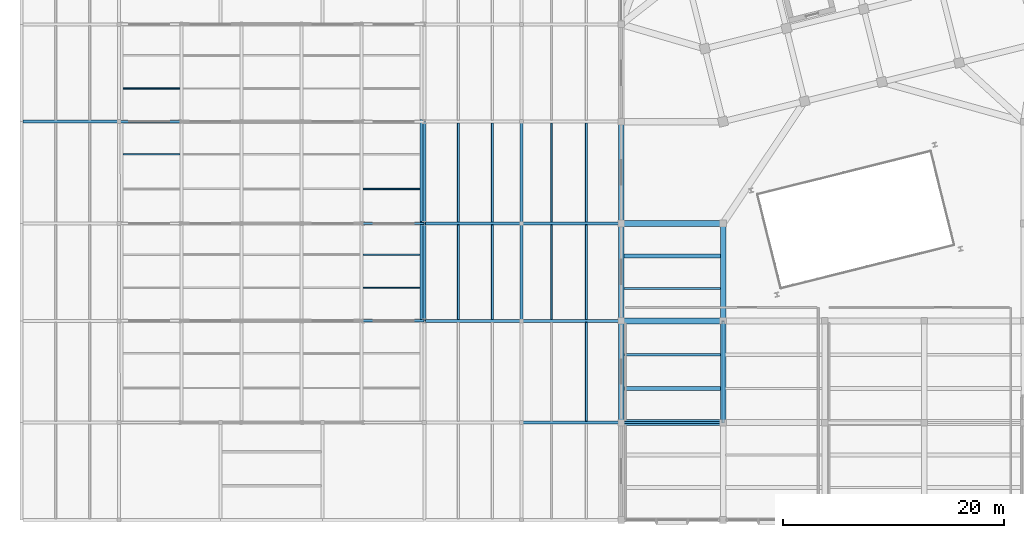
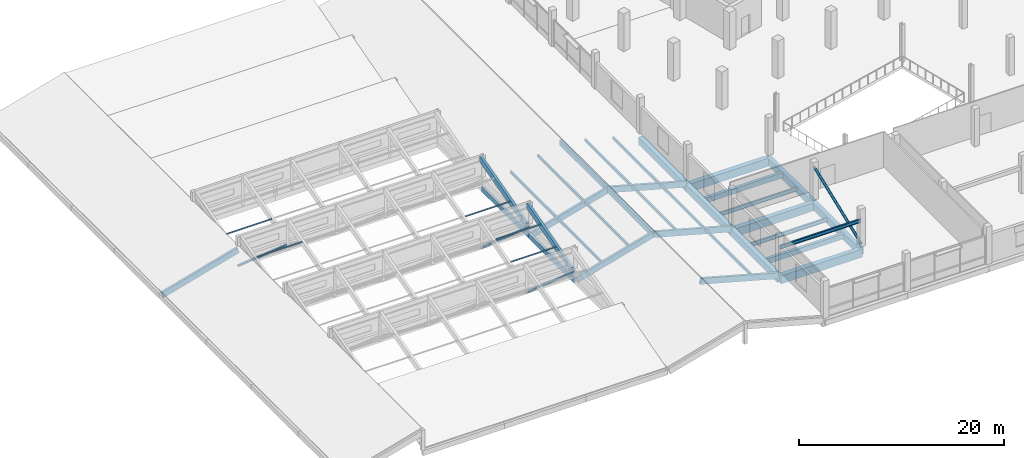
# One storey, part 14 of 77: 25 beams, 18 members.
"""IFC4 building model written with IfcOpenShell, lengths in metres."""

from ifc_helpers import new_model, si_unit, direction, frame, origin, origin_2d, place, context, subcontext, project, spatial, rectangle, hollow_rectangle, hollow_circle, i_section, extrude, material, material_profile, profile_set, type_object, element, save


model = new_model("IFC4")

# Units and contexts
model_context = context("Model", 3, precision=1e-05, world=origin(), true_north=direction((0.0, 1.0)))
body_context = subcontext(model_context, "Body", "Model", "MODEL_VIEW")
ifc_project = project(units=[si_unit("LENGTHUNIT", "METRE"), si_unit("AREAUNIT", "SQUARE_METRE"), si_unit("VOLUMEUNIT", "CUBIC_METRE"), si_unit("PLANEANGLEUNIT", "RADIAN"), si_unit("MASSUNIT", "GRAM", prefix="KILO")], contexts=[model_context])

# Site, building, storey
site_placement = place(None, origin())
site = spatial("IfcSite", under=ifc_project, at=site_placement, CompositionType="ELEMENT")
building_placement = place(site_placement, origin())
building = spatial("IfcBuilding", under=site, at=building_placement, Name="Meriwether Solvik Hall", CompositionType="ELEMENT")
storey_placement = place(building_placement, frame((0.0, 0.0, 9.89990234375)))
storey = spatial("IfcBuildingStorey", under=building, at=storey_placement, Name="L02", CompositionType="ELEMENT", Elevation=9.89990234375)

# Beams
ifc_material_1 = material(Name="Glulam Douglas-Fir 24F-V8 GL28h", Category="wood")
ifc_material_profile_1 = material_profile(ifc_material_1, rectangle(XDim=0.27294921875, YDim=0.610107421875, at=origin_2d()), Name="GLB-273X610")
ifc_profile_set_1 = profile_set([ifc_material_profile_1], Name="Glulam Douglas-Fir 24F-V8 GL28h")
beam_type_1 = type_object("IfcBeamType", Name="BM-GL-273X610", PredefinedType="SPANDREL", material=ifc_profile_set_1)
beam_1_placement = place(storey_placement, frame((41.60009765625, 23.199951171875, -0.323974609375), z_axis=(0.0, 1.0, 0.0), x_axis=(-1.0, 0.0, 0.0)))
element("IfcBeam", 1, at=beam_1_placement, inside=storey, type_object=beam_type_1, Name="Roof Tie Beam 5:C-D (L02)", PredefinedType="SPANDREL", context=body_context, shape_type="SweptSolid", body=[
    extrude(rectangle(XDim=0.27294921875, YDim=0.610107421875, at=origin_2d()), origin(), (0.0, 0.0, 1.0), 8.800048828125),
])
beam_2_placement = place(storey_placement, frame((41.60009765625, 32.0, -0.323974609375), z_axis=(0.0, 1.0, 0.0), x_axis=(-1.0, 0.0, 0.0)))
element("IfcBeam", 2, at=beam_2_placement, inside=storey, type_object=beam_type_1, Name="Roof Tie Beam 5:D-E (L02)", PredefinedType="SPANDREL", context=body_context, shape_type="SweptSolid", body=[
    extrude(rectangle(XDim=0.27294921875, YDim=0.610107421875, at=origin_2d()), origin(), (0.0, 0.0, 1.0), 9.199951171875),
])
beam_3_placement = place(storey_placement, frame((50.39990234375, 23.199951171875, 2.135986328125), z_axis=(0.0, 1.0, 0.0), x_axis=(-1.0, 0.0, 0.0)))
element("IfcBeam", 3, at=beam_3_placement, inside=storey, type_object=beam_type_1, Name="Roof Tie Beam 6:C-D (L02)", PredefinedType="SPANDREL", context=body_context, shape_type="SweptSolid", body=[
    extrude(rectangle(XDim=0.27294921875, YDim=0.610107421875, at=origin_2d()), origin(), (0.0, 0.0, 1.0), 8.800048828125),
])
beam_4_placement = place(storey_placement, frame((50.39990234375, 32.0, 2.135986328125), z_axis=(0.0, 1.0, 0.0), x_axis=(-1.0, 0.0, 0.0)))
element("IfcBeam", 4, at=beam_4_placement, inside=storey, type_object=beam_type_1, Name="Roof Tie Beam 6:D-E (L02)", PredefinedType="SPANDREL", context=body_context, shape_type="SweptSolid", body=[
    extrude(rectangle(XDim=0.27294921875, YDim=0.610107421875, at=origin_2d()), origin(), (0.0, 0.0, 1.0), 9.199951171875),
])
ifc_material_2 = material(Name="Glulam Douglas-Fir 24F-V8 GL28h", Category="wood")
ifc_material_profile_2 = material_profile(ifc_material_2, rectangle(XDim=0.27294921875, YDim=0.68505859375, at=origin_2d()), Name="GLB-273X685")
ifc_profile_set_2 = profile_set([ifc_material_profile_2], Name="Glulam Douglas-Fir 24F-V8 GL28h")
beam_type_2 = type_object("IfcBeamType", Name="BM-GL-273X685", PredefinedType="BEAM", material=ifc_profile_set_2)
for number, where, z_axis, x_axis, name in (
    (5, (5.420166015625, 41.199951171875, -0.31298828125), (0.963077401933, 0.0, 0.269224660621), (0.0, 1.0, 0.0), "Raking Glulam Roof Rafter w1_west_aisle-E (L02)"),
    (6, (41.8203125, 23.199951171875, -0.31298828125), (0.963077401933, 0.0, 0.269224660621), (0.0, 1.0, 0.0), "Raking Glulam Roof Rafter w1_east_gbl_w-C (L02)"),
    (7, (41.8203125, 32.0, -0.31298828125), (0.963077401933, 0.0, 0.269224660621), (0.0, 1.0, 0.0), "Raking Glulam Roof Rafter w1_east_gbl_w-D (L02)"),
):
    element("IfcBeam", number, at=place(storey_placement, frame(where, z_axis=z_axis, x_axis=x_axis)), inside=storey, type_object=beam_type_2, Name=name, PredefinedType="BEAM", context=body_context, shape_type="SweptSolid", body=[
        extrude(rectangle(XDim=0.27294921875, YDim=0.68505859375, at=origin_2d()), origin(), (0.0, 0.0, 1.0), 8.87158203125),
    ])
for number, where, z_axis, x_axis, name in (
    (8, (59.181640625, 14.0, -0.314208984375), (-0.964611383686, 0.0, 0.263675707002), (0.0, -1.0, 0.0), "Raking Glulam Roof Rafter w1_east_gbl_e-B (L02)"),
    (9, (59.181640625, 23.199951171875, -0.314208984375), (-0.964611383686, 0.0, 0.263675707002), (0.0, -1.0, 0.0), "Raking Glulam Roof Rafter w1_east_gbl_e-C (L02)"),
    (10, (59.181640625, 32.0, -0.314208984375), (-0.964611383686, 0.0, 0.263675707002), (0.0, -1.0, 0.0), "Raking Glulam Roof Rafter w1_east_gbl_e-D (L02)"),
):
    element("IfcBeam", number, at=place(storey_placement, frame(where, z_axis=z_axis, x_axis=x_axis)), inside=storey, type_object=beam_type_2, Name=name, PredefinedType="BEAM", context=body_context, shape_type="SweptSolid", body=[
        extrude(rectangle(XDim=0.27294921875, YDim=0.68505859375, at=origin_2d()), origin(), (0.0, 0.0, 1.0), 9.064697265625),
    ])
beam_5_placement = place(storey_placement, frame((41.360107421875, 23.293701171875, 0.895751953125), z_axis=(0.0, 0.961933763025, 0.273282702624), x_axis=(-1.0, 0.0, 0.0)))
element("IfcBeam", 11, at=beam_5_placement, inside=storey, type_object=beam_type_2, Name="Sanctuary Sawtooth Rafter 2.6", PredefinedType="BEAM", context=body_context, shape_type="SweptSolid", body=[
    extrude(rectangle(XDim=0.27294921875, YDim=0.68505859375, at=origin_2d()), origin(), (0.0, 0.0, 1.0), 9.14794921875),
])
beam_6_placement = place(storey_placement, frame((41.360107421875, 32.08984375, 0.89453125), z_axis=(0.0, 0.965005119019, 0.262231043674), x_axis=(-1.0, 0.0, 0.0)))
element("IfcBeam", 12, at=beam_6_placement, inside=storey, type_object=beam_type_2, Name="Sanctuary Sawtooth Rafter 3.6", PredefinedType="BEAM", context=body_context, shape_type="SweptSolid", body=[
    extrude(rectangle(XDim=0.27294921875, YDim=0.68505859375, at=origin_2d()), origin(), (0.0, 0.0, 1.0), 9.53369140625),
])
ifc_material_3 = material(Name="Concrete C40/50", Category="concrete")
ifc_material_profile_3 = material_profile(ifc_material_3, rectangle(XDim=0.35009765625, YDim=0.60009765625, at=origin_2d()), Name="RCB-350X600")
ifc_profile_set_3 = profile_set([ifc_material_profile_3], Name="Concrete C40/50")
beam_type_3 = type_object("IfcBeamType", Name="BM-RC-350X600", PredefinedType="JOIST", material=ifc_profile_set_3)
for number, where, z_axis, x_axis, name in (
    (13, (59.64501953125, 17.066650390625, -0.6298828125), (1.0, 0.0, 0.0), (0.0, 1.0, 0.0), "Secondary Floor Joist 7/B_J1 (L02)"),
    (14, (59.64501953125, 29.066650390625, -0.6298828125), (1.0, 0.0, 0.0), (0.0, 1.0, 0.0), "Secondary Floor Joist 7/C_J2 (L02)"),
):
    element("IfcBeam", number, at=place(storey_placement, frame(where, z_axis=z_axis, x_axis=x_axis)), inside=storey, type_object=beam_type_3, Name=name, PredefinedType="JOIST", context=body_context, shape_type="SweptSolid", body=[
        extrude(rectangle(XDim=0.35009765625, YDim=0.60009765625, at=origin_2d()), origin(), (0.0, 0.0, 1.0), 8.7099609375),
    ])
ifc_material_4 = material(Name="Concrete C40/50", Category="concrete")
ifc_material_profile_4 = material_profile(ifc_material_4, rectangle(XDim=0.5, YDim=0.85009765625, at=origin_2d()), Name="RCB-500X850")
ifc_profile_set_4 = profile_set([ifc_material_profile_4], Name="Concrete C40/50")
beam_type_4 = type_object("IfcBeamType", Name="BM-RC-500X850", PredefinedType="BEAM", material=ifc_profile_set_4)
beam_7_placement = place(storey_placement, frame((59.39990234375, 14.0, -0.7548828125), z_axis=(0.0, 1.0, 0.0), x_axis=(-1.0, 0.0, 0.0)))
element("IfcBeam", 15, at=beam_7_placement, inside=storey, type_object=beam_type_4, Name="Podium Girder 7:B-C (L02)", PredefinedType="BEAM", context=body_context, shape_type="SweptSolid", body=[
    extrude(rectangle(XDim=0.5, YDim=0.85009765625, at=origin_2d()), origin(), (0.0, 0.0, 1.0), 9.199951171875),
])
beam_8_placement = place(storey_placement, frame((59.39990234375, 23.199951171875, -0.7548828125), z_axis=(0.0, 1.0, 0.0), x_axis=(-1.0, 0.0, 0.0)))
element("IfcBeam", 16, at=beam_8_placement, inside=storey, type_object=beam_type_4, Name="Podium Girder 7:C-D (L02)", PredefinedType="BEAM", context=body_context, shape_type="SweptSolid", body=[
    extrude(rectangle(XDim=0.5, YDim=0.85009765625, at=origin_2d()), origin(), (0.0, 0.0, 1.0), 8.800048828125),
])
for number, where, z_axis, x_axis, name in (
    (17, (59.39990234375, 32.0, -0.7548828125), (0.0, 1.0, 0.0), (-1.0, 0.0, 0.0), "Podium Girder 7:D-E (L02)"),
    (18, (68.60009765625, 14.0, -0.7548828125), (0.0, 1.0, 0.0), (-1.0, 0.0, 0.0), "Podium Girder 8:B-C (L02)"),
):
    element("IfcBeam", number, at=place(storey_placement, frame(where, z_axis=z_axis, x_axis=x_axis)), inside=storey, type_object=beam_type_4, Name=name, PredefinedType="BEAM", context=body_context, shape_type="SweptSolid", body=[
        extrude(rectangle(XDim=0.5, YDim=0.85009765625, at=origin_2d()), origin(), (0.0, 0.0, 1.0), 9.199951171875),
    ])
beam_9_placement = place(storey_placement, frame((68.60009765625, 23.199951171875, -0.7548828125), z_axis=(0.0, 1.0, 0.0), x_axis=(-1.0, 0.0, 0.0)))
element("IfcBeam", 19, at=beam_9_placement, inside=storey, type_object=beam_type_4, Name="Podium Girder 8:C-D (L02)", PredefinedType="BEAM", context=body_context, shape_type="SweptSolid", body=[
    extrude(rectangle(XDim=0.5, YDim=0.85009765625, at=origin_2d()), origin(), (0.0, 0.0, 1.0), 8.800048828125),
])
ifc_material_5 = material(Name="Concrete C40/50", Category="concrete")
ifc_material_profile_5 = material_profile(ifc_material_5, rectangle(XDim=0.550048828125, YDim=0.949951171875, at=origin_2d()), Name="RCB-550X950")
ifc_profile_set_5 = profile_set([ifc_material_profile_5], Name="Concrete C40/50")
beam_type_5 = type_object("IfcBeamType", Name="BM-RC-550X950", PredefinedType="BEAM", material=ifc_profile_set_5)
for number, where, z_axis, x_axis, name in (
    (20, (59.39990234375, 14.0, -0.804931640625), (1.0, 0.0, 0.0), (0.0, 1.0, 0.0), "Podium Girder B:7-8 (L02)"),
    (21, (59.39990234375, 23.199951171875, -0.804931640625), (1.0, 0.0, 0.0), (0.0, 1.0, 0.0), "Podium Girder C:7-8 (L02)"),
    (22, (59.39990234375, 32.0, -0.804931640625), (1.0, 0.0, 0.0), (0.0, 1.0, 0.0), "Podium Girder D:7-8 (L02)"),
):
    element("IfcBeam", number, at=place(storey_placement, frame(where, z_axis=z_axis, x_axis=x_axis)), inside=storey, type_object=beam_type_5, Name=name, PredefinedType="BEAM", context=body_context, shape_type="SweptSolid", body=[
        extrude(rectangle(XDim=0.550048828125, YDim=0.949951171875, at=origin_2d()), origin(), (0.0, 0.0, 1.0), 9.2001953125),
    ])
ifc_material_6 = material(Name="Steel A992 Grade 50", Category="steel")
ifc_material_profile_6 = material_profile(ifc_material_6, i_section(OverallWidth=0.177978515625, OverallDepth=0.406982421875, WebThickness=0.0078125, FlangeThickness=0.0126953125, at=origin_2d()), Name="W16X40")
ifc_profile_set_6 = profile_set([ifc_material_profile_6], Name="Steel A992 Grade 50")
beam_type_6 = type_object("IfcBeamType", Name="BM-STL-W16X40", PredefinedType="LINTEL", material=ifc_profile_set_6)
beam_10_placement = place(storey_placement, frame((59.39990234375, 14.0, 2.946533203125), z_axis=(1.0, 0.0, 0.0), x_axis=(0.0, 1.0, 0.0)))
element("IfcBeam", 23, at=beam_10_placement, inside=storey, type_object=beam_type_6, Name="Galleria Portal Lintel B:7-8 (L02)", PredefinedType="LINTEL", context=body_context, shape_type="SweptSolid", body=[
    extrude(i_section(OverallWidth=0.177978515625, OverallDepth=0.406982421875, WebThickness=0.0078125, FlangeThickness=0.0126953125, at=origin_2d()), origin(), (0.0, 0.0, 1.0), 9.2001953125),
])
ifc_material_7 = material(Name="Steel A992 Grade 50", Category="steel")
ifc_material_profile_7 = material_profile(ifc_material_7, i_section(OverallWidth=0.19091796875, OverallDepth=0.45703125, WebThickness=0.009033203125, FlangeThickness=0.014404296875, at=origin_2d()), Name="W18X50")
ifc_profile_set_7 = profile_set([ifc_material_profile_7], Name="Steel A992 Grade 50")
beam_type_7 = type_object("IfcBeamType", Name="BM-STL-W18X50", PredefinedType="JOIST", material=ifc_profile_set_7)
for number, where, z_axis, x_axis, name in (
    (24, (59.64501953125, 20.13330078125, -0.558349609375), (1.0, 0.0, 0.0), (0.0, 1.0, 0.0), "Secondary Floor Joist 7/B_J2 (L02)"),
    (25, (59.64501953125, 26.13330078125, -0.558349609375), (1.0, 0.0, 0.0), (0.0, 1.0, 0.0), "Secondary Floor Joist 7/C_J1 (L02)"),
):
    element("IfcBeam", number, at=place(storey_placement, frame(where, z_axis=z_axis, x_axis=x_axis)), inside=storey, type_object=beam_type_7, Name=name, PredefinedType="JOIST", context=body_context, shape_type="SweptSolid", body=[
        extrude(i_section(OverallWidth=0.19091796875, OverallDepth=0.45703125, WebThickness=0.009033203125, FlangeThickness=0.014404296875, at=origin_2d()), origin(), (0.0, 0.0, 1.0), 8.7099609375),
    ])

# Members
ifc_material_8 = material(Name="Steel A500 Grade C", Category="steel")
ifc_material_profile_8 = material_profile(ifc_material_8, hollow_circle(Radius=0.136474609375, WallThickness=0.0126953125, at=origin_2d()), Name="CHS273X12.7")
ifc_profile_set_8 = profile_set([ifc_material_profile_8], Name="Steel A500 Grade C")
member_type_1 = type_object("IfcMemberType", Name="MEM-BR-CHS273", PredefinedType="BRACE", material=ifc_profile_set_8)
member_placement = place(storey_placement, frame((68.60009765625, 14.0, 0.150146484375), z_axis=(0.0, 0.931070976091, 0.364838097629), x_axis=(-1.0, 0.0, 0.0)))
element("IfcMember", 26, at=member_placement, inside=storey, type_object=member_type_1, Name="Podium Diagonal Brace L02-PB2", PredefinedType="BRACE", context=body_context, shape_type="SweptSolid", body=[
    extrude(hollow_circle(Radius=0.136474609375, WallThickness=0.0126953125, at=origin_2d()), origin(), (0.0, 0.0, 1.0), 9.881103515625),
])
ifc_material_9 = material(Name="Steel A500 Grade C", Category="steel")
ifc_material_profile_9 = material_profile(ifc_material_9, hollow_rectangle(XDim=0.202880859375, YDim=0.202880859375, WallThickness=0.0126953125, at=origin_2d()), Name="HSS203X203X12.7")
ifc_profile_set_9 = profile_set([ifc_material_profile_9], Name="Steel A500 Grade C")
member_type_2 = type_object("IfcMemberType", Name="MEM-BR-HSS203", PredefinedType="BRACE", material=ifc_profile_set_9)
for number, where, z_axis, x_axis, name in (
    (27, (36.080078125, 23.199951171875, 0.150146484375), (0.993841313907, 0.0, 0.110812647163), (0.0, 1.0, 0.0), "Sanctuary Truss T2 Diagonal 5"),
    (28, (36.080078125, 32.0, 0.150146484375), (0.993841313907, 0.0, 0.110812647163), (0.0, 1.0, 0.0), "Sanctuary Truss T3 Diagonal 5"),
    (29, (14.0, 41.199951171875, 0.150146484375), (0.993841313907, 0.0, 0.110812647163), (0.0, 1.0, 0.0), "Sanctuary Truss T4 Diagonal 1"),
):
    element("IfcMember", number, at=place(storey_placement, frame(where, z_axis=z_axis, x_axis=x_axis)), inside=storey, type_object=member_type_2, Name=name, PredefinedType="BRACE", context=body_context, shape_type="SweptSolid", body=[
        extrude(hollow_rectangle(XDim=0.202880859375, YDim=0.202880859375, WallThickness=0.0126953125, at=origin_2d()), origin(), (0.0, 0.0, 1.0), 5.55419921875),
    ])
ifc_material_10 = material(Name="Steel A500 Grade C", Category="steel")
ifc_material_profile_10 = material_profile(ifc_material_10, hollow_circle(Radius=0.084228515625, WallThickness=0.0078125, at=origin_2d()), Name="CHS168X7.9")
ifc_profile_set_10 = profile_set([ifc_material_profile_10], Name="Steel A500 Grade C")
member_type_3 = type_object("IfcMemberType", Name="MEM-PRL-CHS168", PredefinedType="PURLIN", material=ifc_profile_set_10)
for number, where, z_axis, x_axis, name in (
    (30, (36.068115234375, 26.19189453125, 1.968994140625), (1.0, 0.0, 0.0), (0.0, 1.0, 0.0), "Sanctuary Sawtooth Purlin 2.5.1"),
    (31, (36.068115234375, 35.1279296875, 1.968994140625), (1.0, 0.0, 0.0), (0.0, 1.0, 0.0), "Sanctuary Sawtooth Purlin 3.5.1"),
    (32, (14.3720703125, 44.19189453125, 1.968994140625), (1.0, 0.0, 0.0), (0.0, 1.0, 0.0), "Sanctuary Sawtooth Purlin 4.1.1"),
):
    element("IfcMember", number, at=place(storey_placement, frame(where, z_axis=z_axis, x_axis=x_axis)), inside=storey, type_object=member_type_3, Name=name, PredefinedType="PURLIN", context=body_context, shape_type="SweptSolid", body=[
        extrude(hollow_circle(Radius=0.084228515625, WallThickness=0.0078125, at=origin_2d()), origin(), (0.0, 0.0, 1.0), 5.159912109375),
    ])
ifc_material_11 = material(Name="Glulam Douglas-Fir 24F-V8 GL28h", Category="wood")
ifc_material_profile_11 = material_profile(ifc_material_11, rectangle(XDim=0.175048828125, YDim=0.304931640625, at=origin_2d()), Name="GLM-175X305")
ifc_profile_set_11 = profile_set([ifc_material_profile_11], Name="Glulam Douglas-Fir 24F-V8 GL28h")
member_type_4 = type_object("IfcMemberType", Name="MEM-PRL-GL175", PredefinedType="PURLIN", material=ifc_profile_set_11)
for number, where, z_axis, x_axis, name in (
    (33, (44.679931640625, 23.33251953125, 0.689453125), (0.0, 1.0, 0.0), (-1.0, 0.0, 0.0), "Sloped Roof Glulam Purlin w1_east_gbl_w-3.1"),
    (34, (47.760009765625, 23.33251953125, 1.550537109375), (0.0, 1.0, 0.0), (-1.0, 0.0, 0.0), "Sloped Roof Glulam Purlin w1_east_gbl_w-3.2"),
):
    element("IfcMember", number, at=place(storey_placement, frame(where, z_axis=z_axis, x_axis=x_axis)), inside=storey, type_object=member_type_4, Name=name, PredefinedType="PURLIN", context=body_context, shape_type="SweptSolid", body=[
        extrude(rectangle(XDim=0.175048828125, YDim=0.304931640625, at=origin_2d()), origin(), (0.0, 0.0, 1.0), 8.534912109375),
    ])
for number, where, z_axis, x_axis, name in (
    (35, (44.679931640625, 32.132568359375, 0.689453125), (0.0, 1.0, 0.0), (-1.0, 0.0, 0.0), "Sloped Roof Glulam Purlin w1_east_gbl_w-4.1"),
    (36, (47.760009765625, 32.132568359375, 1.550537109375), (0.0, 1.0, 0.0), (-1.0, 0.0, 0.0), "Sloped Roof Glulam Purlin w1_east_gbl_w-4.2"),
    (37, (56.25, 14.132568359375, 0.689697265625), (0.0, 1.0, 0.0), (-1.0, 0.0, 0.0), "Sloped Roof Glulam Purlin w1_east_gbl_e-2.1"),
):
    element("IfcMember", number, at=place(storey_placement, frame(where, z_axis=z_axis, x_axis=x_axis)), inside=storey, type_object=member_type_4, Name=name, PredefinedType="PURLIN", context=body_context, shape_type="SweptSolid", body=[
        extrude(rectangle(XDim=0.175048828125, YDim=0.304931640625, at=origin_2d()), origin(), (0.0, 0.0, 1.0), 8.934814453125),
    ])
for number, where, z_axis, x_axis, name in (
    (38, (56.25, 23.33251953125, 0.689697265625), (0.0, 1.0, 0.0), (-1.0, 0.0, 0.0), "Sloped Roof Glulam Purlin w1_east_gbl_e-3.1"),
    (39, (53.10009765625, 23.33251953125, 1.55078125), (0.0, 1.0, 0.0), (-1.0, 0.0, 0.0), "Sloped Roof Glulam Purlin w1_east_gbl_e-3.2"),
):
    element("IfcMember", number, at=place(storey_placement, frame(where, z_axis=z_axis, x_axis=x_axis)), inside=storey, type_object=member_type_4, Name=name, PredefinedType="PURLIN", context=body_context, shape_type="SweptSolid", body=[
        extrude(rectangle(XDim=0.175048828125, YDim=0.304931640625, at=origin_2d()), origin(), (0.0, 0.0, 1.0), 8.534912109375),
    ])
for number, where, z_axis, x_axis, name in (
    (40, (56.25, 32.132568359375, 0.689697265625), (0.0, 1.0, 0.0), (-1.0, 0.0, 0.0), "Sloped Roof Glulam Purlin w1_east_gbl_e-4.1"),
    (41, (53.10009765625, 32.132568359375, 1.55078125), (0.0, 1.0, 0.0), (-1.0, 0.0, 0.0), "Sloped Roof Glulam Purlin w1_east_gbl_e-4.2"),
):
    element("IfcMember", number, at=place(storey_placement, frame(where, z_axis=z_axis, x_axis=x_axis)), inside=storey, type_object=member_type_4, Name=name, PredefinedType="PURLIN", context=body_context, shape_type="SweptSolid", body=[
        extrude(rectangle(XDim=0.175048828125, YDim=0.304931640625, at=origin_2d()), origin(), (0.0, 0.0, 1.0), 8.934814453125),
    ])
ifc_material_12 = material(Name="Steel A500 Grade C", Category="steel")
ifc_material_profile_12 = material_profile(ifc_material_12, hollow_rectangle(XDim=0.126953125, YDim=0.126953125, WallThickness=0.0078125, at=origin_2d()), Name="HSS127X127X7.9")
ifc_profile_set_12 = profile_set([ifc_material_profile_12], Name="Steel A500 Grade C")
member_type_5 = type_object("IfcMemberType", Name="MEM-PRL-HSS127", PredefinedType="PURLIN", material=ifc_profile_set_12)
for number, where, z_axis, x_axis, name in (
    (42, (36.068115234375, 29.18408203125, 2.839599609375), (1.0, 0.0, 0.0), (0.0, 1.0, 0.0), "Sanctuary Sawtooth Purlin 2.5.2"),
    (43, (14.3720703125, 38.256103515625, 2.839599609375), (1.0, 0.0, 0.0), (0.0, 1.0, 0.0), "Sanctuary Sawtooth Purlin 3.1.2"),
):
    element("IfcMember", number, at=place(storey_placement, frame(where, z_axis=z_axis, x_axis=x_axis)), inside=storey, type_object=member_type_5, Name=name, PredefinedType="PURLIN", context=body_context, shape_type="SweptSolid", body=[
        extrude(hollow_rectangle(XDim=0.126953125, YDim=0.126953125, WallThickness=0.0078125, at=origin_2d()), origin(), (0.0, 0.0, 1.0), 5.159912109375),
    ])

save(model, "model.ifc")
